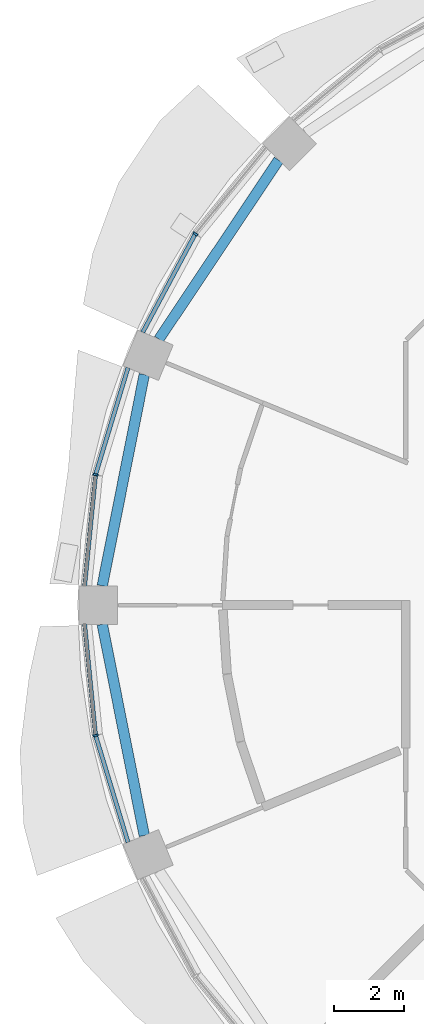
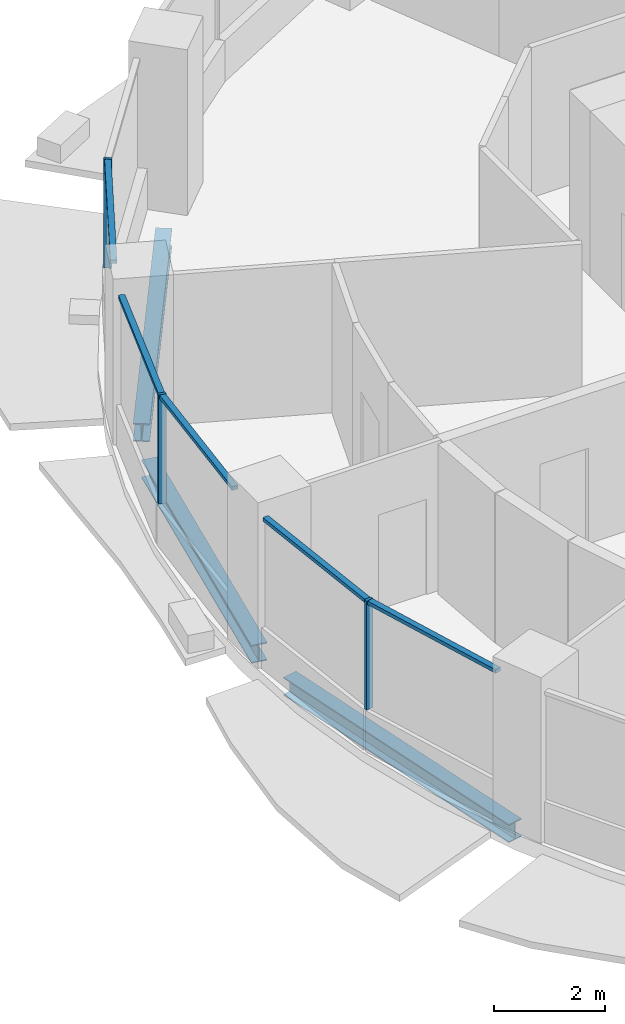
# One storey, part 3 of 14: 8 members, 3 beams, 3 elements without a shape of their own.
"""IFC4 building model written with IfcOpenShell, lengths in metres."""

from ifc_helpers import new_model, si_unit, direction, frame, origin, origin_2d, place, context, subcontext, project, spatial, rectangle, i_section, extrude, material, material_profile, profile_set, type_object, element, aggregate, save


model = new_model("IFC4")

# Units and contexts
model_context = context("Model", 3, precision=1e-05, world=origin(), true_north=direction((0.0, 1.0)))
body_context = subcontext(model_context, "Body", "Model", "MODEL_VIEW")
ifc_project = project(units=[si_unit("LENGTHUNIT", "METRE"), si_unit("AREAUNIT", "SQUARE_METRE"), si_unit("VOLUMEUNIT", "CUBIC_METRE"), si_unit("PLANEANGLEUNIT", "RADIAN"), si_unit("MASSUNIT", "GRAM", prefix="KILO")], contexts=[model_context])

# Site, building, storey
site_placement = place(None, origin())
site = spatial("IfcSite", under=ifc_project, at=site_placement, CompositionType="ELEMENT")
building_placement = place(site_placement, origin())
building = spatial("IfcBuilding", under=site, at=building_placement, Name="Polderwave Tower", CompositionType="ELEMENT")
storey_placement = place(building_placement, frame((0.0, 0.0, 94.64990234375)))
storey = spatial("IfcBuildingStorey", under=building, at=storey_placement, Name="L24", CompositionType="ELEMENT", Elevation=94.64990234375)

# Curtain wall, member
ifc_material_1 = material(Name="Aluminium 6063-T6 and glass", Category="aluminium")
curtain_wall_type = type_object("IfcCurtainWallType", Name="Growing floor ribbon glazing wall", PredefinedType="NOTDEFINED", material=ifc_material_1)
curtain_wall_1_placement = place(storey_placement, origin())
curtain_wall_1 = element("IfcCurtainWall", 1, at=curtain_wall_1_placement, inside=storey, type_object=curtain_wall_type, Name="CW2 L24 06", PredefinedType="NOTDEFINED")
ifc_material_2 = material(Name="Aluminium 6063-T6", Category="aluminium")
ifc_material_profile_1 = material_profile(ifc_material_2, rectangle(XDim=0.14990234375, YDim=0.06005859375, at=origin_2d()), Name="AL 60x150")
ifc_profile_set_1 = profile_set([ifc_material_profile_1], Name="Aluminium 6063-T6")
member_type_1 = type_object("IfcMemberType", Name="Growing floor ribbon glazing mullion 60x150", PredefinedType="MULLION", material=ifc_profile_set_1)
member_1_placement = place(storey_placement, frame((-15.89794921875, 10.623046875, 0.900146484375), z_axis=(0.0, 0.0, 1.0), x_axis=(0.831467672992, -0.555573135393, 0.0)))
member_1 = element("IfcMember", 2, at=member_1_placement, type_object=member_type_1, Name="CW2 mullion 1", PredefinedType="MULLION", context=body_context, shape_type="SweptSolid", body=[
    extrude(rectangle(XDim=0.14990234375, YDim=0.06005859375, at=origin_2d()), origin(), (0.0, 0.0, 1.0), 2.39990234375),
])

curtain_wall_2_placement = place(storey_placement, origin())
curtain_wall_2 = element("IfcCurtainWall", 3, at=curtain_wall_2_placement, inside=storey, type_object=curtain_wall_type, Name="CW2 L24 07", PredefinedType="NOTDEFINED")
member_2_placement = place(storey_placement, frame((-18.7529296875, 3.72998046875, 0.900146484375), z_axis=(0.0, 0.0, 1.0), x_axis=(0.980780853692, -0.195112575278, 0.0)))
member_2 = element("IfcMember", 4, at=member_2_placement, type_object=member_type_1, Name="CW2 mullion 1", PredefinedType="MULLION", context=body_context, shape_type="SweptSolid", body=[
    extrude(rectangle(XDim=0.14990234375, YDim=0.06005859375, at=origin_2d()), origin(), (0.0, 0.0, 1.0), 2.39990234375),
])

curtain_wall_3_placement = place(storey_placement, origin())
curtain_wall_3 = element("IfcCurtainWall", 5, at=curtain_wall_3_placement, inside=storey, type_object=curtain_wall_type, Name="CW2 L24 08", PredefinedType="NOTDEFINED")
member_3_placement = place(storey_placement, frame((-18.7529296875, -3.72998046875, 0.900146484375), z_axis=(0.0, 0.0, 1.0), x_axis=(0.980780853692, 0.195112575278, 0.0)))
member_3 = element("IfcMember", 6, at=member_3_placement, type_object=member_type_1, Name="CW2 mullion 1", PredefinedType="MULLION", context=body_context, shape_type="SweptSolid", body=[
    extrude(rectangle(XDim=0.14990234375, YDim=0.06005859375, at=origin_2d()), origin(), (0.0, 0.0, 1.0), 2.39990234375),
])

# Member
ifc_material_profile_2 = material_profile(ifc_material_2, rectangle(XDim=0.1201171875, YDim=0.080078125, at=origin_2d()), Name="AL 80x120")
ifc_profile_set_2 = profile_set([ifc_material_profile_2], Name="Aluminium 6063-T6")
member_type_2 = type_object("IfcMemberType", Name="Growing floor ribbon glazing transom 80x120", PredefinedType="USERDEFINED", material=ifc_profile_set_2)
member_4_placement = place(storey_placement, frame((-15.912109375, 10.596435546875, 3.260009765625), z_axis=(-0.471232490074, -0.882009036404, 0.0), x_axis=(0.882009036404, -0.471232490074, 0.0)))
member_4 = element("IfcMember", 7, at=member_4_placement, type_object=member_type_2, Name="CW2 transom 2", ObjectType="TRANSOM", PredefinedType="USERDEFINED", context=body_context, shape_type="SweptSolid", body=[
    extrude(rectangle(XDim=0.1201171875, YDim=0.080078125, at=origin_2d()), origin(), (0.0, 0.0, 1.0), 3.166015625),
])

aggregate(curtain_wall_1, [member_1, member_4])

member_5_placement = place(storey_placement, frame((-17.824951171875, 6.7880859375, 3.260009765625), z_axis=(-0.290431166093, -0.956895886584, 0.0), x_axis=(0.956895886584, -0.290431166093, 0.0)))
member_5 = element("IfcMember", 8, at=member_5_placement, type_object=member_type_2, Name="CW2 transom 1", ObjectType="TRANSOM", PredefinedType="USERDEFINED", context=body_context, shape_type="SweptSolid", body=[
    extrude(rectangle(XDim=0.1201171875, YDim=0.080078125, at=origin_2d()), origin(), (0.0, 0.0, 1.0), 3.165771484375),
])

member_6_placement = place(storey_placement, frame((-18.755859375, 3.7001953125, 3.260009765625), z_axis=(-0.097953388713, -0.995191003597, 0.0), x_axis=(0.995191003597, -0.097953388713, 0.0)))
member_6 = element("IfcMember", 9, at=member_6_placement, type_object=member_type_2, Name="CW2 transom 2", ObjectType="TRANSOM", PredefinedType="USERDEFINED", context=body_context, shape_type="SweptSolid", body=[
    extrude(rectangle(XDim=0.1201171875, YDim=0.080078125, at=origin_2d()), origin(), (0.0, 0.0, 1.0), 3.165283203125),
])

aggregate(curtain_wall_2, [member_2, member_5, member_6])

member_7_placement = place(storey_placement, frame((-19.06591796875, -0.550048828125, 3.260009765625), z_axis=(0.097953388713, -0.995191003597, 0.0), x_axis=(0.995191003597, 0.097953388713, 0.0)))
member_7 = element("IfcMember", 10, at=member_7_placement, type_object=member_type_2, Name="CW2 transom 1", ObjectType="TRANSOM", PredefinedType="USERDEFINED", context=body_context, shape_type="SweptSolid", body=[
    extrude(rectangle(XDim=0.1201171875, YDim=0.080078125, at=origin_2d()), origin(), (0.0, 0.0, 1.0), 3.165283203125),
])

member_8_placement = place(storey_placement, frame((-18.744384765625, -3.7587890625, 3.260009765625), z_axis=(0.290431166093, -0.956895886584, 0.0), x_axis=(0.956895886584, 0.290431166093, 0.0)))
member_8 = element("IfcMember", 11, at=member_8_placement, type_object=member_type_2, Name="CW2 transom 2", ObjectType="TRANSOM", PredefinedType="USERDEFINED", context=body_context, shape_type="SweptSolid", body=[
    extrude(rectangle(XDim=0.1201171875, YDim=0.080078125, at=origin_2d()), origin(), (0.0, 0.0, 1.0), 3.165771484375),
])

aggregate(curtain_wall_3, [member_3, member_7, member_8])

# Beams
ifc_material_3 = material(Name="Steel S355", Category="steel")
ifc_material_profile_3 = material_profile(ifc_material_3, i_section(OverallWidth=0.300048828125, OverallDepth=0.39990234375, WebThickness=0.013427734375, FlangeThickness=0.02392578125, at=origin_2d()), Name="HE 400 B")
ifc_profile_set_3 = profile_set([ifc_material_profile_3], Name="Steel S355")
beam_type = type_object("IfcBeamType", Name="RING BEAM HE 400 B", PredefinedType="BEAM", material=ifc_profile_set_3)
for number, where, z_axis, x_axis, name in (
    (12, (-13.51318359375, 12.7353515625, -0.5498046875), (-0.555586625808, -0.831458658758, 0.0), (0.831458658758, -0.555586625808, 0.0), "ST-RB-L24-06"),
    (13, (-17.358154296875, 6.5947265625, -0.5498046875), (-0.195095226048, -0.980784304918, 0.0), (0.980784304918, -0.195095226048, 0.0), "ST-RB-L24-07"),
    (14, (-18.560546875, -0.550048828125, -0.5498046875), (0.195095226048, -0.980784304918, 0.0), (0.980784304918, 0.195095226048, 0.0), "ST-RB-L24-08"),
):
    element("IfcBeam", number, at=place(storey_placement, frame(where, z_axis=z_axis, x_axis=x_axis)), inside=storey, type_object=beam_type, Name=name, PredefinedType="BEAM", context=body_context, shape_type="SweptSolid", body=[
        extrude(i_section(OverallWidth=0.300048828125, OverallDepth=0.39990234375, WebThickness=0.013427734375, FlangeThickness=0.02392578125, at=origin_2d()), origin(), (0.0, 0.0, 1.0), 6.1630859375),
    ])

save(model, "model.ifc")
